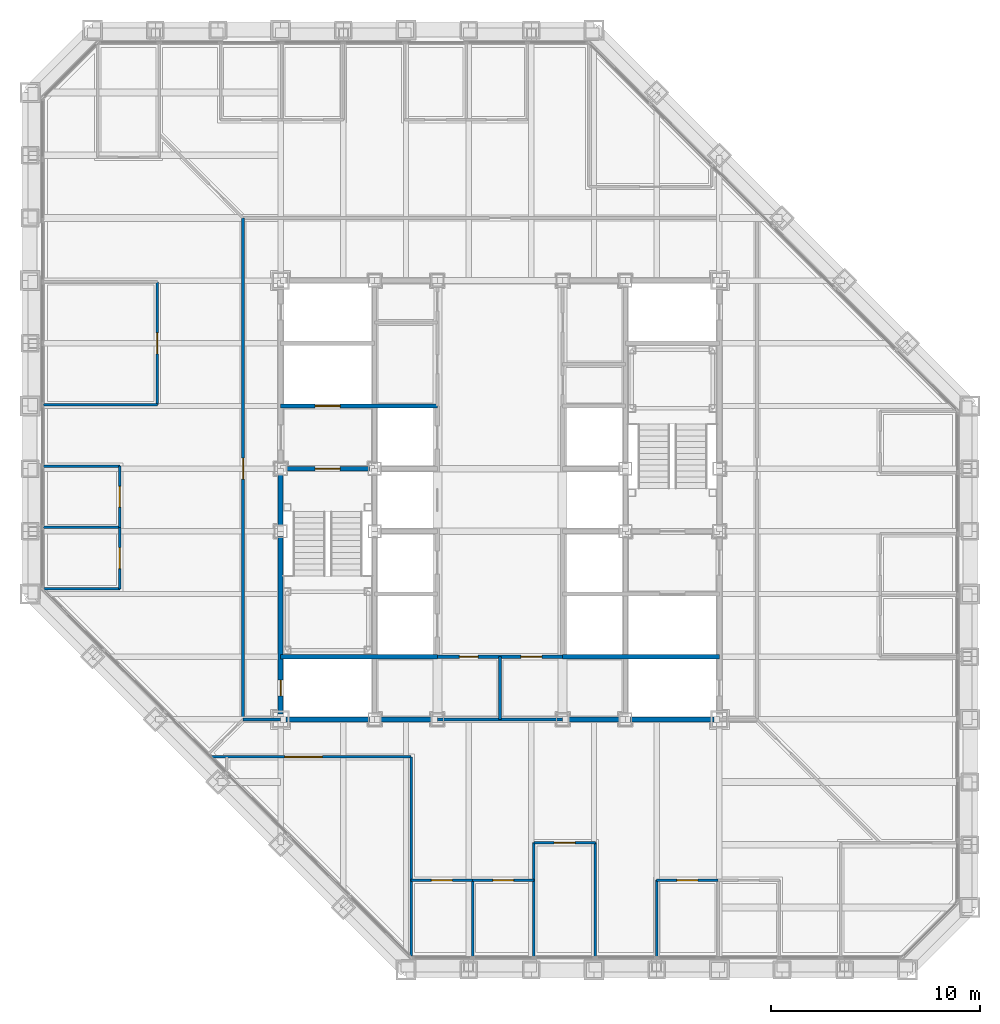
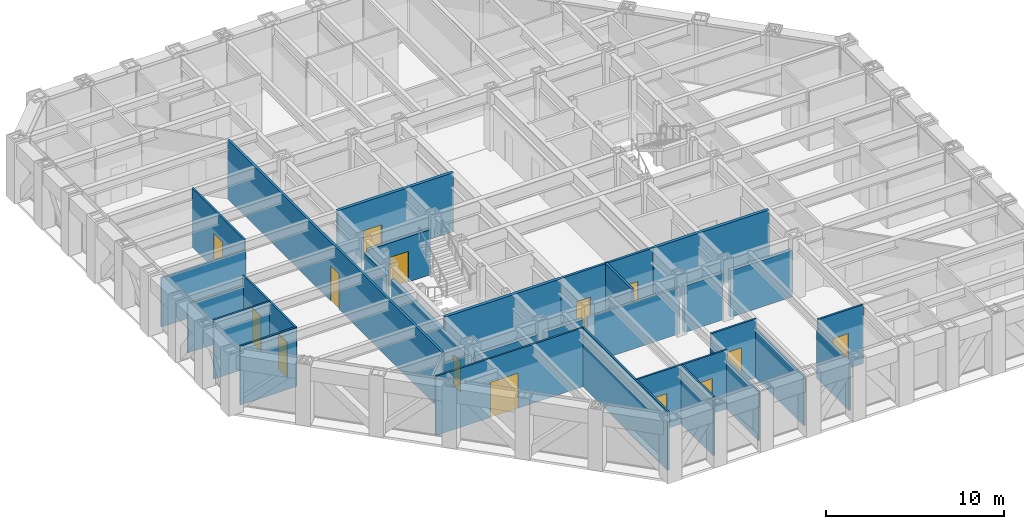
# One storey, part 10 of 17: 32 walls, 14 doors, 14 openings.
"""IFC4 building model written with IfcOpenShell, lengths in metres."""

from ifc_helpers import new_model, si_unit, direction, frame, frame_2d, origin, place, context, subcontext, project, spatial, rectangle, extrude, material, layer, layer_set, type_object, element, fill, save


model = new_model("IFC4")

# Units and contexts
model_context = context("Model", 3, precision=1e-05, world=origin(), true_north=direction((0.0, 1.0)))
body_context = subcontext(model_context, "Body", "Model", "MODEL_VIEW")
ifc_project = project(units=[si_unit("LENGTHUNIT", "METRE"), si_unit("AREAUNIT", "SQUARE_METRE"), si_unit("VOLUMEUNIT", "CUBIC_METRE"), si_unit("PLANEANGLEUNIT", "RADIAN"), si_unit("MASSUNIT", "GRAM", prefix="KILO")], contexts=[model_context])

# Site, building, storey
site_placement = place(None, origin())
site = spatial("IfcSite", under=ifc_project, at=site_placement, CompositionType="ELEMENT")
building_placement = place(site_placement, origin())
building = spatial("IfcBuilding", under=site, at=building_placement, Name="Chuquiago Exchange Tower", CompositionType="ELEMENT")
storey_placement = place(building_placement, frame((0.0, 0.0, 165.60009765625)))
storey = spatial("IfcBuildingStorey", under=building, at=storey_placement, Name="L36", CompositionType="ELEMENT", Elevation=165.60009765625)

# Wall, opening, door
ifc_material_1 = material(Name="Concrete masonry, fully grouted", Category="masonry")
ifc_layer_1 = layer(ifc_material_1, 0.25)
ifc_layer_set_1 = layer_set([ifc_layer_1], Name="W1 core wall 250")
wall_type_1 = type_object("IfcWallType", Name="W1 core wall 250", PredefinedType="SOLIDWALL", material=ifc_layer_set_1)
wall_1_placement = place(storey_placement, frame((12.0, 12.25, 0.0), z_axis=(0.0, 0.0, 1.0), x_axis=(0.0, 1.0, 0.0)))
wall_1 = element("IfcWall", 1, at=wall_1_placement, inside=storey, type_object=wall_type_1, Name="CW-L36-00-0", PredefinedType="SOLIDWALL", context=body_context, shape_type="SweptSolid", body=[
    extrude(rectangle(XDim=8.5, YDim=0.25, at=frame_2d((4.25, 0.0))), origin(), (0.0, 0.0, 1.0), 3.11279296875),
])
opening_1_placement = place(wall_1_placement, frame((0.875, 0.0, 0.0)))
opening_1 = element("IfcOpeningElement", 2, at=opening_1_placement, cuts=wall_1, Name="Opening L36-007", PredefinedType="OPENING", context=body_context, shape_type="SweptSolid", body=[
    extrude(rectangle(XDim=0.75, YDim=2.10009765625, at=frame_2d((0.375, 1.050048828125))), frame((0.0, 0.135009765625, 0.0), z_axis=(0.0, -1.0, 0.0), x_axis=(1.0, 0.0, 0.0)), (0.0, 0.0, 1.0), 0.27001953125),
])
ifc_material_2 = material(Name="Steel door, painted", Category="steel")
door_type_1 = type_object("IfcDoorType", Name="D6 riser access door 750x2100", OperationType="SINGLE_SWING_LEFT", PredefinedType="DOOR", material=ifc_material_2)
door_1_placement = place(opening_1_placement, frame((0.75, 0.0, 0.0), z_axis=(0.0, 0.0, 1.0), x_axis=(-1.0, 0.0, 0.0)))
door_1 = element("IfcDoor", 3, at=door_1_placement, inside=storey, type_object=door_type_1, Name="Riser RW1 door", OperationType="SINGLE_SWING_RIGHT", OverallHeight=2.10009765625, OverallWidth=0.75, PredefinedType="DOOR", context=body_context, shape_type="SweptSolid", body=[
    extrude(rectangle(XDim=0.75, YDim=2.10009765625, at=frame_2d((0.375, 1.050048828125))), frame((0.0, 0.02490234375, 0.0), z_axis=(0.0, -1.0, 0.0), x_axis=(1.0, 0.0, 0.0)), (0.0, 0.0, 1.0), 0.050048828125),
])
fill(opening_1, door_1)

# Walls
wall_2_placement = place(storey_placement, frame((12.0, 21.25, 0.0), z_axis=(0.0, 0.0, 1.0), x_axis=(0.0, 1.0, 0.0)))
element("IfcWall", 4, at=wall_2_placement, inside=storey, type_object=wall_type_1, Name="CW-L36-00-1", PredefinedType="SOLIDWALL", context=body_context, shape_type="SweptSolid", body=[
    extrude(rectangle(XDim=2.5, YDim=0.25, at=frame_2d((1.25, 0.0))), origin(), (0.0, 0.0, 1.0), 3.11279296875),
])
wall_3_placement = place(storey_placement, frame((12.25, 12.0, 0.0), z_axis=(0.0, 0.0, 1.0), x_axis=(1.0, 0.0, 0.0)))
element("IfcWall", 5, at=wall_3_placement, inside=storey, type_object=wall_type_1, Name="CW-L36-01-0", PredefinedType="SOLIDWALL", context=body_context, shape_type="SweptSolid", body=[
    extrude(rectangle(XDim=4.0, YDim=0.25, at=frame_2d((2.0, 0.0))), origin(), (0.0, 0.0, 1.0), 3.181396484375),
])
for number, where, z_axis, x_axis, name in (
    (6, (16.75, 12.0, 0.0), (0.0, 0.0, 1.0), (1.0, 0.0, 0.0), "CW-L36-01-1"),
    (7, (25.75, 12.0, 0.0), (0.0, 0.0, 1.0), (1.0, 0.0, 0.0), "CW-L36-02-0"),
):
    element("IfcWall", number, at=place(storey_placement, frame(where, z_axis=z_axis, x_axis=x_axis)), inside=storey, type_object=wall_type_1, Name=name, PredefinedType="SOLIDWALL", context=body_context, shape_type="SweptSolid", body=[
        extrude(rectangle(XDim=2.5, YDim=0.25, at=frame_2d((1.25, 0.0))), origin(), (0.0, 0.0, 1.0), 3.181396484375),
    ])
wall_4_placement = place(storey_placement, frame((28.75, 12.0, 0.0), z_axis=(0.0, 0.0, 1.0), x_axis=(1.0, 0.0, 0.0)))
element("IfcWall", 8, at=wall_4_placement, inside=storey, type_object=wall_type_1, Name="CW-L36-02-1", PredefinedType="SOLIDWALL", context=body_context, shape_type="SweptSolid", body=[
    extrude(rectangle(XDim=4.0, YDim=0.25, at=frame_2d((2.0, 0.0))), origin(), (0.0, 0.0, 1.0), 3.181396484375),
])

# Wall, opening, door
ifc_material_3 = material(Name="Gypsum board on steel studs, acoustic insulation", Category="steel")
ifc_layer_2 = layer(ifc_material_3, 0.14990234375)
ifc_layer_set_2 = layer_set([ifc_layer_2], Name="W11 corridor wall 150")
wall_type_2 = type_object("IfcWallType", Name="W11 corridor wall 150", PredefinedType="PARTITIONING", material=ifc_layer_set_2)
wall_5_placement = place(storey_placement, frame((10.199951171875, 12.0, 0.0), z_axis=(0.0, 0.0, 1.0), x_axis=(0.0, 1.0, 0.0)))
wall_5 = element("IfcWall", 9, at=wall_5_placement, inside=storey, type_object=wall_type_2, Name="PW-L36-GW0", PredefinedType="PARTITIONING", context=body_context, shape_type="SweptSolid", body=[
    extrude(rectangle(XDim=24.0, YDim=0.14990234375, at=frame_2d((12.0, 0.0))), origin(), (0.0, 0.0, 1.0), 4.039794921875),
])
opening_2_placement = place(wall_5_placement, frame((11.5, 0.0, 0.0)))
opening_2 = element("IfcOpeningElement", 10, at=opening_2_placement, cuts=wall_5, Name="Opening L36-041", PredefinedType="OPENING", context=body_context, shape_type="SweptSolid", body=[
    extrude(rectangle(XDim=1.0, YDim=2.39990234375, at=frame_2d((0.5, 1.199951171875))), frame((0.0, 0.0849609375, 0.0), z_axis=(0.0, -1.0, 0.0), x_axis=(1.0, 0.0, 0.0)), (0.0, 0.0, 1.0), 0.169921875),
])
ifc_material_4 = material(Name="Timber door, laminate faced", Category="wood")
door_type_2 = type_object("IfcDoorType", Name="D9 room door 1000x2400", OperationType="SINGLE_SWING_LEFT", PredefinedType="DOOR", material=ifc_material_4)
door_2_placement = place(opening_2_placement, origin())
door_2 = element("IfcDoor", 11, at=door_2_placement, inside=storey, type_object=door_type_2, Name="Team area door", OperationType="SINGLE_SWING_LEFT", OverallHeight=2.39990234375, OverallWidth=1.0, PredefinedType="DOOR", context=body_context, shape_type="SweptSolid", body=[
    extrude(rectangle(XDim=1.0, YDim=2.39990234375, at=frame_2d((0.5, 1.199951171875))), frame((0.0, 0.02490234375, 0.0), z_axis=(0.0, -1.0, 0.0), x_axis=(1.0, 0.0, 0.0)), (0.0, 0.0, 1.0), 0.050048828125),
])
fill(opening_2, door_2)

# Walls
wall_6_placement = place(storey_placement, frame((10.199951171875, 12.0, 0.0), z_axis=(0.0, 0.0, 1.0), x_axis=(1.0, 0.0, 0.0)))
element("IfcWall", 12, at=wall_6_placement, inside=storey, type_object=wall_type_2, Name="PW-L36-GWS0", PredefinedType="PARTITIONING", context=body_context, shape_type="SweptSolid", body=[
    extrude(rectangle(XDim=1.800048828125, YDim=0.14990234375, at=frame_2d((0.89990234375, 0.0))), origin(), (0.0, 0.0, 1.0), 3.270263671875),
])
ifc_material_5 = material(Name="Concrete masonry, fully grouted", Category="masonry")
ifc_layer_3 = layer(ifc_material_5, 0.199951171875)
ifc_layer_set_3 = layer_set([ifc_layer_3], Name="W2 shaft wall 200")
wall_type_3 = type_object("IfcWallType", Name="W2 shaft wall 200", PredefinedType="SOLIDWALL", material=ifc_layer_set_3)
for number, where, z_axis, x_axis, name in (
    (13, (12.0, 15.0, 0.0), (0.0, 0.0, 1.0), (1.0, 0.0, 0.0), "CW-L36-03-0"),
    (14, (25.5, 15.0, 0.0), (0.0, 0.0, 1.0), (1.0, 0.0, 0.0), "CW-L36-04-0"),
):
    element("IfcWall", number, at=place(storey_placement, frame(where, z_axis=z_axis, x_axis=x_axis)), inside=storey, type_object=wall_type_3, Name=name, PredefinedType="SOLIDWALL", context=body_context, shape_type="SweptSolid", body=[
        extrude(rectangle(XDim=7.5, YDim=0.199951171875, at=frame_2d((3.75, 0.0))), origin(), (0.0, 0.0, 1.0), 4.039794921875),
    ])

# Wall, opening, door
wall_7_placement = place(storey_placement, frame((12.25, 24.0, 0.0), z_axis=(0.0, 0.0, 1.0), x_axis=(1.0, 0.0, 0.0)))
wall_7 = element("IfcWall", 15, at=wall_7_placement, inside=storey, type_object=wall_type_3, Name="CW-L36-05-0", PredefinedType="SOLIDWALL", context=body_context, shape_type="SweptSolid", body=[
    extrude(rectangle(XDim=4.0, YDim=0.199951171875, at=frame_2d((2.0, 0.0))), origin(), (0.0, 0.0, 1.0), 3.08984375),
])
opening_3_placement = place(wall_7_placement, frame((1.39990234375, 0.0, 0.0)))
opening_3 = element("IfcOpeningElement", 16, at=opening_3_placement, cuts=wall_7, Name="Opening L36-001", PredefinedType="OPENING", context=body_context, shape_type="SweptSolid", body=[
    extrude(rectangle(XDim=1.199951171875, YDim=2.10009765625, at=frame_2d((0.60009765625, 1.050048828125))), frame((0.0, 0.10986328125, 0.0), z_axis=(0.0, -1.0, 0.0), x_axis=(1.0, 0.0, 0.0)), (0.0, 0.0, 1.0), 0.219970703125),
])
ifc_material_6 = material(Name="Steel door, painted", Category="steel")
door_type_3 = type_object("IfcDoorType", Name="D4 stair door 1200x2100", OperationType="SINGLE_SWING_LEFT", PredefinedType="DOOR", material=ifc_material_6)
door_3_placement = place(opening_3_placement, frame((1.199951171875, 0.0, 0.0), z_axis=(0.0, 0.0, 1.0), x_axis=(-1.0, 0.0, 0.0)))
door_3 = element("IfcDoor", 17, at=door_3_placement, inside=storey, type_object=door_type_3, Name="Stair ST1 door", OperationType="SINGLE_SWING_RIGHT", OverallHeight=2.10009765625, OverallWidth=1.199951171875, PredefinedType="DOOR", context=body_context, shape_type="SweptSolid", body=[
    extrude(rectangle(XDim=1.199951171875, YDim=2.10009765625, at=frame_2d((0.60009765625, 1.050048828125))), frame((0.0, 0.02490234375, 0.0), z_axis=(0.0, -1.0, 0.0), x_axis=(1.0, 0.0, 0.0)), (0.0, 0.0, 1.0), 0.050048828125),
])
fill(opening_3, door_3)

wall_8_placement = place(storey_placement, frame((12.0, 27.0, 0.0), z_axis=(0.0, 0.0, 1.0), x_axis=(1.0, 0.0, 0.0)))
wall_8 = element("IfcWall", 18, at=wall_8_placement, inside=storey, type_object=wall_type_3, Name="CW-L36-07-0", PredefinedType="SOLIDWALL", context=body_context, shape_type="SweptSolid", body=[
    extrude(rectangle(XDim=7.5, YDim=0.199951171875, at=frame_2d((3.75, 0.0))), origin(), (0.0, 0.0, 1.0), 4.039794921875),
])
opening_4_placement = place(wall_8_placement, frame((1.64990234375, 0.0, 0.0)))
opening_4 = element("IfcOpeningElement", 19, at=opening_4_placement, cuts=wall_8, Name="Opening L36-005", PredefinedType="OPENING", context=body_context, shape_type="SweptSolid", body=[
    extrude(rectangle(XDim=1.199951171875, YDim=2.10009765625, at=frame_2d((0.60009765625, 1.050048828125))), frame((0.0, 0.10986328125, 0.0), z_axis=(0.0, -1.0, 0.0), x_axis=(1.0, 0.0, 0.0)), (0.0, 0.0, 1.0), 0.219970703125),
])
ifc_material_7 = material(Name="Stainless steel lift landing door", Category="steel")
door_type_4 = type_object("IfcDoorType", Name="LD2 firefighting lift landing door 1200x2100", OperationType="DOUBLE_DOOR_SLIDING", PredefinedType="DOOR", material=ifc_material_7)
door_4_placement = place(opening_4_placement, origin())
door_4 = element("IfcDoor", 20, at=door_4_placement, inside=storey, type_object=door_type_4, Name="Firefighting lift FL1 landing door", OperationType="DOUBLE_DOOR_SLIDING", OverallHeight=2.10009765625, OverallWidth=1.199951171875, PredefinedType="DOOR", context=body_context, shape_type="SweptSolid", body=[
    extrude(rectangle(XDim=1.199951171875, YDim=2.10009765625, at=frame_2d((0.60009765625, 1.050048828125))), frame((0.0, 0.02490234375, 0.0), z_axis=(0.0, -1.0, 0.0), x_axis=(1.0, 0.0, 0.0)), (0.0, 0.0, 1.0), 0.050048828125),
])
fill(opening_4, door_4)

# Wall, openings, doors
ifc_material_8 = material(Name="Gypsum board on steel studs", Category="steel")
ifc_layer_4 = layer(ifc_material_8, 0.14990234375)
ifc_layer_set_4 = layer_set([ifc_layer_4], Name="W3 core partition 150")
wall_type_4 = type_object("IfcWallType", Name="W3 core partition 150", PredefinedType="PARTITIONING", material=ifc_layer_set_4)
wall_9_placement = place(storey_placement, frame((19.5, 15.0, 0.0), z_axis=(0.0, 0.0, 1.0), x_axis=(1.0, 0.0, 0.0)))
wall_9 = element("IfcWall", 21, at=wall_9_placement, inside=storey, type_object=wall_type_4, Name="CW-L36-TF", PredefinedType="PARTITIONING", context=body_context, shape_type="SweptSolid", body=[
    extrude(rectangle(XDim=6.0, YDim=0.14990234375, at=frame_2d((3.0, 0.0))), origin(), (0.0, 0.0, 1.0), 4.039794921875),
])
opening_5_placement = place(wall_9_placement, frame((4.0, 0.0, 0.0)))
opening_5 = element("IfcOpeningElement", 22, at=opening_5_placement, cuts=wall_9, Name="Opening L36-015", PredefinedType="OPENING", context=body_context, shape_type="SweptSolid", body=[
    extrude(rectangle(XDim=1.0, YDim=2.10009765625, at=frame_2d((0.5, 1.050048828125))), frame((0.0, 0.0849609375, 0.0), z_axis=(0.0, -1.0, 0.0), x_axis=(1.0, 0.0, 0.0)), (0.0, 0.0, 1.0), 0.169921875),
])
opening_6_placement = place(wall_9_placement, frame((1.050048828125, 0.0, 0.0)))
opening_6 = element("IfcOpeningElement", 23, at=opening_6_placement, cuts=wall_9, Name="Opening L36-016", PredefinedType="OPENING", context=body_context, shape_type="SweptSolid", body=[
    extrude(rectangle(XDim=0.89990234375, YDim=2.10009765625, at=frame_2d((0.449951171875, 1.050048828125))), frame((0.0, 0.0849609375, 0.0), z_axis=(0.0, -1.0, 0.0), x_axis=(1.0, 0.0, 0.0)), (0.0, 0.0, 1.0), 0.169921875),
])
ifc_material_9 = material(Name="Timber door, laminate faced", Category="wood")
door_type_5 = type_object("IfcDoorType", Name="D7 toilet door 900x2100", OperationType="SINGLE_SWING_LEFT", PredefinedType="DOOR", material=ifc_material_9)
door_5_placement = place(opening_6_placement, origin())
door_5 = element("IfcDoor", 24, at=door_5_placement, inside=storey, type_object=door_type_5, Name="Cleaner door", OperationType="SINGLE_SWING_LEFT", OverallHeight=2.10009765625, OverallWidth=0.89990234375, PredefinedType="DOOR", context=body_context, shape_type="SweptSolid", body=[
    extrude(rectangle(XDim=0.89990234375, YDim=2.10009765625, at=frame_2d((0.449951171875, 1.050048828125))), frame((0.0, 0.02490234375, 0.0), z_axis=(0.0, -1.0, 0.0), x_axis=(1.0, 0.0, 0.0)), (0.0, 0.0, 1.0), 0.050048828125),
])
fill(opening_6, door_5)
ifc_material_10 = material(Name="Timber door, laminate faced", Category="wood")
door_type_6 = type_object("IfcDoorType", Name="D8 accessible toilet door 1000x2100", OperationType="SLIDING_TO_LEFT", PredefinedType="DOOR", material=ifc_material_10)
door_6_placement = place(opening_5_placement, origin())
door_6 = element("IfcDoor", 25, at=door_6_placement, inside=storey, type_object=door_type_6, Name="Accessible WC door", OperationType="SLIDING_TO_LEFT", OverallHeight=2.10009765625, OverallWidth=1.0, PredefinedType="DOOR", context=body_context, shape_type="SweptSolid", body=[
    extrude(rectangle(XDim=1.0, YDim=2.10009765625, at=frame_2d((0.5, 1.050048828125))), frame((0.0, 0.02490234375, 0.0), z_axis=(0.0, -1.0, 0.0), x_axis=(1.0, 0.0, 0.0)), (0.0, 0.0, 1.0), 0.050048828125),
])
fill(opening_5, door_6)

# Walls
wall_10_placement = place(storey_placement, frame((22.5, 15.0, 0.0), z_axis=(0.0, 0.0, 1.0), x_axis=(0.0, -1.0, 0.0)))
element("IfcWall", 26, at=wall_10_placement, inside=storey, type_object=wall_type_4, Name="CW-L36-TM", PredefinedType="PARTITIONING", context=body_context, shape_type="SweptSolid", body=[
    extrude(rectangle(XDim=3.0, YDim=0.14990234375, at=frame_2d((1.5, 0.0))), origin(), (0.0, 0.0, 1.0), 4.039794921875),
])
wall_11_placement = place(storey_placement, frame((19.5, 12.0, 0.0), z_axis=(0.0, 0.0, 1.0), x_axis=(1.0, 0.0, 0.0)))
element("IfcWall", 27, at=wall_11_placement, inside=storey, type_object=wall_type_4, Name="CW-L36-TB", PredefinedType="PARTITIONING", context=body_context, shape_type="SweptSolid", body=[
    extrude(rectangle(XDim=6.0, YDim=0.14990234375, at=frame_2d((3.0, 0.0))), origin(), (0.0, 0.0, 1.0), 3.181396484375),
])
ifc_material_11 = material(Name="Gypsum board on steel studs", Category="steel")
ifc_layer_5 = layer(ifc_material_11, 0.1201171875)
ifc_layer_set_5 = layer_set([ifc_layer_5], Name="W4 partition 120")
wall_type_5 = type_object("IfcWallType", Name="W4 partition 120", PredefinedType="PARTITIONING", material=ifc_layer_set_5)
wall_12_placement = place(storey_placement, frame((18.24853515625, 0.666015625, 0.0), z_axis=(0.0, 0.0, 1.0), x_axis=(0.0, 1.0, 0.0)))
element("IfcWall", 28, at=wall_12_placement, inside=storey, type_object=wall_type_5, Name="PW-L36-S01825", PredefinedType="PARTITIONING", context=body_context, shape_type="SweptSolid", body=[
    extrude(rectangle(XDim=9.533935546875, YDim=0.1201171875, at=frame_2d((4.76708984375, 0.0))), origin(), (0.0, 0.0, 1.0), 4.039794921875),
])
wall_13_placement = place(storey_placement, frame((21.186279296875, 0.652587890625, 0.0), z_axis=(0.0, 0.0, 1.0), x_axis=(0.0, 1.0, 0.0)))
element("IfcWall", 29, at=wall_13_placement, inside=storey, type_object=wall_type_5, Name="PW-L36-S02119", PredefinedType="PARTITIONING", context=body_context, shape_type="SweptSolid", body=[
    extrude(rectangle(XDim=3.6474609375, YDim=0.1201171875, at=frame_2d((1.82373046875, 0.0))), origin(), (0.0, 0.0, 1.0), 4.039794921875),
])
for number, where, z_axis, x_axis, name in (
    (30, (24.124267578125, 0.652587890625, 0.0), (0.0, 0.0, 1.0), (0.0, 1.0, 0.0), "PW-L36-S02412"),
    (31, (27.06201171875, 0.652587890625, 0.0), (0.0, 0.0, 1.0), (0.0, 1.0, 0.0), "PW-L36-S02706"),
):
    element("IfcWall", number, at=place(storey_placement, frame(where, z_axis=z_axis, x_axis=x_axis)), inside=storey, type_object=wall_type_5, Name=name, PredefinedType="PARTITIONING", context=body_context, shape_type="SweptSolid", body=[
        extrude(rectangle(XDim=5.447509765625, YDim=0.1201171875, at=frame_2d((2.7236328125, 0.0))), origin(), (0.0, 0.0, 1.0), 3.356689453125),
    ])
wall_14_placement = place(storey_placement, frame((30.0, 0.652587890625, 0.0), z_axis=(0.0, 0.0, 1.0), x_axis=(0.0, 1.0, 0.0)))
element("IfcWall", 32, at=wall_14_placement, inside=storey, type_object=wall_type_5, Name="PW-L36-S03000", PredefinedType="PARTITIONING", context=body_context, shape_type="SweptSolid", body=[
    extrude(rectangle(XDim=3.6474609375, YDim=0.1201171875, at=frame_2d((1.82373046875, 0.0))), origin(), (0.0, 0.0, 1.0), 3.356689453125),
])

# Wall, opening, door
wall_15_placement = place(storey_placement, frame((8.685546875, 10.199951171875, 0.0), z_axis=(0.0, 0.0, 1.0), x_axis=(1.0, 0.0, 0.0)))
wall_15 = element("IfcWall", 33, at=wall_15_placement, inside=storey, type_object=wall_type_5, Name="PW-L36-SF00942", PredefinedType="PARTITIONING", context=body_context, shape_type="SweptSolid", body=[
    extrude(rectangle(XDim=9.56298828125, YDim=0.1201171875, at=frame_2d((4.781494140625, 0.0))), origin(), (0.0, 0.0, 1.0), 4.039794921875),
])
opening_7_placement = place(wall_15_placement, frame((3.51220703125, 0.0, 0.0)))
opening_7 = element("IfcOpeningElement", 34, at=opening_7_placement, cuts=wall_15, Name="Opening L36-021", PredefinedType="OPENING", context=body_context, shape_type="SweptSolid", body=[
    extrude(rectangle(XDim=1.800048828125, YDim=2.39990234375, at=frame_2d((0.89990234375, 1.199951171875))), frame((0.0, 0.070068359375, 0.0), z_axis=(0.0, -1.0, 0.0), x_axis=(1.0, 0.0, 0.0)), (0.0, 0.0, 1.0), 0.14013671875),
])
ifc_material_12 = material(Name="Timber door pair, laminate faced", Category="wood")
door_type_7 = type_object("IfcDoorType", Name="D15 double room door 1800x2400", OperationType="DOUBLE_DOOR_DOUBLE_SWING", PredefinedType="DOOR", material=ifc_material_12)
door_7_placement = place(opening_7_placement, origin())
door_7 = element("IfcDoor", 35, at=door_7_placement, inside=storey, type_object=door_type_7, Name="Broker lounge door", OperationType="DOUBLE_DOOR_DOUBLE_SWING", OverallHeight=2.39990234375, OverallWidth=1.800048828125, PredefinedType="DOOR", context=body_context, shape_type="SweptSolid", body=[
    extrude(rectangle(XDim=1.800048828125, YDim=2.39990234375, at=frame_2d((0.89990234375, 1.199951171875))), frame((0.0, 0.02490234375, 0.0), z_axis=(0.0, -1.0, 0.0), x_axis=(1.0, 0.0, 0.0)), (0.0, 0.0, 1.0), 0.050048828125),
])
fill(opening_7, door_7)

wall_16_placement = place(storey_placement, frame((18.24853515625, 4.300048828125, 0.0), z_axis=(0.0, 0.0, 1.0), x_axis=(1.0, 0.0, 0.0)))
wall_16 = element("IfcWall", 36, at=wall_16_placement, inside=storey, type_object=wall_type_5, Name="PW-L36-SF01825", PredefinedType="PARTITIONING", context=body_context, shape_type="SweptSolid", body=[
    extrude(rectangle(XDim=2.937744140625, YDim=0.1201171875, at=frame_2d((1.46875, 0.0))), origin(), (0.0, 0.0, 1.0), 4.039794921875),
])
opening_8_placement = place(wall_16_placement, frame((0.968994140625, 0.0, 0.0)))
opening_8 = element("IfcOpeningElement", 37, at=opening_8_placement, cuts=wall_16, Name="Opening L36-022", PredefinedType="OPENING", context=body_context, shape_type="SweptSolid", body=[
    extrude(rectangle(XDim=1.0, YDim=2.39990234375, at=frame_2d((0.5, 1.199951171875))), frame((0.0, 0.070068359375, 0.0), z_axis=(0.0, -1.0, 0.0), x_axis=(1.0, 0.0, 0.0)), (0.0, 0.0, 1.0), 0.14013671875),
])
ifc_material_13 = material(Name="Timber frame door, full height glazed panel", Category="wood")
door_type_8 = type_object("IfcDoorType", Name="D14 glazed meeting room door 1000x2400", OperationType="SINGLE_SWING_LEFT", PredefinedType="DOOR", material=ifc_material_13)
door_8_placement = place(opening_8_placement, frame((1.0, 0.0, 0.0), z_axis=(0.0, 0.0, 1.0), x_axis=(-1.0, 0.0, 0.0)))
door_8 = element("IfcDoor", 38, at=door_8_placement, inside=storey, type_object=door_type_8, Name="Focus room door", OperationType="SINGLE_SWING_RIGHT", OverallHeight=2.39990234375, OverallWidth=1.0, PredefinedType="DOOR", context=body_context, shape_type="SweptSolid", body=[
    extrude(rectangle(XDim=1.0, YDim=2.39990234375, at=frame_2d((0.5, 1.199951171875))), frame((0.0, 0.02490234375, 0.0), z_axis=(0.0, -1.0, 0.0), x_axis=(1.0, 0.0, 0.0)), (0.0, 0.0, 1.0), 0.050048828125),
])
fill(opening_8, door_8)

wall_17_placement = place(storey_placement, frame((21.186279296875, 4.300048828125, 0.0), z_axis=(0.0, 0.0, 1.0), x_axis=(1.0, 0.0, 0.0)))
wall_17 = element("IfcWall", 39, at=wall_17_placement, inside=storey, type_object=wall_type_5, Name="PW-L36-SF02119", PredefinedType="PARTITIONING", context=body_context, shape_type="SweptSolid", body=[
    extrude(rectangle(XDim=2.93798828125, YDim=0.1201171875, at=frame_2d((1.468994140625, 0.0))), origin(), (0.0, 0.0, 1.0), 4.039794921875),
])
opening_9_placement = place(wall_17_placement, frame((0.968994140625, 0.0, 0.0)))
opening_9 = element("IfcOpeningElement", 40, at=opening_9_placement, cuts=wall_17, Name="Opening L36-023", PredefinedType="OPENING", context=body_context, shape_type="SweptSolid", body=[
    extrude(rectangle(XDim=1.0, YDim=2.39990234375, at=frame_2d((0.5, 1.199951171875))), frame((0.0, 0.070068359375, 0.0), z_axis=(0.0, -1.0, 0.0), x_axis=(1.0, 0.0, 0.0)), (0.0, 0.0, 1.0), 0.14013671875),
])
door_9_placement = place(opening_9_placement, frame((1.0, 0.0, 0.0), z_axis=(0.0, 0.0, 1.0), x_axis=(-1.0, 0.0, 0.0)))
door_9 = element("IfcDoor", 41, at=door_9_placement, inside=storey, type_object=door_type_8, Name="Focus room door", OperationType="SINGLE_SWING_LEFT", OverallHeight=2.39990234375, OverallWidth=1.0, PredefinedType="DOOR", context=body_context, shape_type="SweptSolid", body=[
    extrude(rectangle(XDim=1.0, YDim=2.39990234375, at=frame_2d((0.5, 1.199951171875))), frame((0.0, 0.02490234375, 0.0), z_axis=(0.0, -1.0, 0.0), x_axis=(1.0, 0.0, 0.0)), (0.0, 0.0, 1.0), 0.050048828125),
])
fill(opening_9, door_9)

wall_18_placement = place(storey_placement, frame((24.124267578125, 6.10009765625, 0.0), z_axis=(0.0, 0.0, 1.0), x_axis=(1.0, 0.0, 0.0)))
wall_18 = element("IfcWall", 42, at=wall_18_placement, inside=storey, type_object=wall_type_5, Name="PW-L36-SF02412", PredefinedType="PARTITIONING", context=body_context, shape_type="SweptSolid", body=[
    extrude(rectangle(XDim=2.937744140625, YDim=0.1201171875, at=frame_2d((1.46875, 0.0))), origin(), (0.0, 0.0, 1.0), 4.039794921875),
])
opening_10_placement = place(wall_18_placement, frame((0.968994140625, 0.0, 0.0)))
opening_10 = element("IfcOpeningElement", 43, at=opening_10_placement, cuts=wall_18, Name="Opening L36-024", PredefinedType="OPENING", context=body_context, shape_type="SweptSolid", body=[
    extrude(rectangle(XDim=1.0, YDim=2.39990234375, at=frame_2d((0.5, 1.199951171875))), frame((0.0, 0.070068359375, 0.0), z_axis=(0.0, -1.0, 0.0), x_axis=(1.0, 0.0, 0.0)), (0.0, 0.0, 1.0), 0.14013671875),
])
door_10_placement = place(opening_10_placement, frame((1.0, 0.0, 0.0), z_axis=(0.0, 0.0, 1.0), x_axis=(-1.0, 0.0, 0.0)))
door_10 = element("IfcDoor", 44, at=door_10_placement, inside=storey, type_object=door_type_8, Name="Meeting room door", OperationType="SINGLE_SWING_LEFT", OverallHeight=2.39990234375, OverallWidth=1.0, PredefinedType="DOOR", context=body_context, shape_type="SweptSolid", body=[
    extrude(rectangle(XDim=1.0, YDim=2.39990234375, at=frame_2d((0.5, 1.199951171875))), frame((0.0, 0.02490234375, 0.0), z_axis=(0.0, -1.0, 0.0), x_axis=(1.0, 0.0, 0.0)), (0.0, 0.0, 1.0), 0.050048828125),
])
fill(opening_10, door_10)

wall_19_placement = place(storey_placement, frame((30.0, 4.300048828125, 0.0), z_axis=(0.0, 0.0, 1.0), x_axis=(1.0, 0.0, 0.0)))
wall_19 = element("IfcWall", 45, at=wall_19_placement, inside=storey, type_object=wall_type_5, Name="PW-L36-SF03000", PredefinedType="PARTITIONING", context=body_context, shape_type="SweptSolid", body=[
    extrude(rectangle(XDim=2.93798828125, YDim=0.1201171875, at=frame_2d((1.468994140625, 0.0))), origin(), (0.0, 0.0, 1.0), 4.039794921875),
])
opening_11_placement = place(wall_19_placement, frame((0.968994140625, 0.0, 0.0)))
opening_11 = element("IfcOpeningElement", 46, at=opening_11_placement, cuts=wall_19, Name="Opening L36-025", PredefinedType="OPENING", context=body_context, shape_type="SweptSolid", body=[
    extrude(rectangle(XDim=1.0, YDim=2.39990234375, at=frame_2d((0.5, 1.199951171875))), frame((0.0, 0.070068359375, 0.0), z_axis=(0.0, -1.0, 0.0), x_axis=(1.0, 0.0, 0.0)), (0.0, 0.0, 1.0), 0.14013671875),
])
door_11_placement = place(opening_11_placement, frame((1.0, 0.0, 0.0), z_axis=(0.0, 0.0, 1.0), x_axis=(-1.0, 0.0, 0.0)))
door_11 = element("IfcDoor", 47, at=door_11_placement, inside=storey, type_object=door_type_8, Name="Focus room door", OperationType="SINGLE_SWING_RIGHT", OverallHeight=2.39990234375, OverallWidth=1.0, PredefinedType="DOOR", context=body_context, shape_type="SweptSolid", body=[
    extrude(rectangle(XDim=1.0, YDim=2.39990234375, at=frame_2d((0.5, 1.199951171875))), frame((0.0, 0.02490234375, 0.0), z_axis=(0.0, -1.0, 0.0), x_axis=(1.0, 0.0, 0.0)), (0.0, 0.0, 1.0), 0.050048828125),
])
fill(opening_11, door_11)

# Walls
wall_20_placement = place(storey_placement, frame((0.666015625, 18.24853515625, 0.0), z_axis=(0.0, 0.0, 1.0), x_axis=(1.0, 0.0, 0.0)))
element("IfcWall", 48, at=wall_20_placement, inside=storey, type_object=wall_type_5, Name="PW-L36-W01825", PredefinedType="PARTITIONING", context=body_context, shape_type="SweptSolid", body=[
    extrude(rectangle(XDim=3.634033203125, YDim=0.1201171875, at=frame_2d((1.81689453125, 0.0))), origin(), (0.0, 0.0, 1.0), 4.039794921875),
])
wall_21_placement = place(storey_placement, frame((0.652587890625, 21.186279296875, 0.0), z_axis=(0.0, 0.0, 1.0), x_axis=(1.0, 0.0, 0.0)))
element("IfcWall", 49, at=wall_21_placement, inside=storey, type_object=wall_type_5, Name="PW-L36-W02119", PredefinedType="PARTITIONING", context=body_context, shape_type="SweptSolid", body=[
    extrude(rectangle(XDim=3.6474609375, YDim=0.1201171875, at=frame_2d((1.82373046875, 0.0))), origin(), (0.0, 0.0, 1.0), 4.039794921875),
])
wall_22_placement = place(storey_placement, frame((0.652587890625, 24.124267578125, 0.0), z_axis=(0.0, 0.0, 1.0), x_axis=(1.0, 0.0, 0.0)))
element("IfcWall", 50, at=wall_22_placement, inside=storey, type_object=wall_type_5, Name="PW-L36-W02412", PredefinedType="PARTITIONING", context=body_context, shape_type="SweptSolid", body=[
    extrude(rectangle(XDim=3.6474609375, YDim=0.1201171875, at=frame_2d((1.82373046875, 0.0))), origin(), (0.0, 0.0, 1.0), 3.356689453125),
])
wall_23_placement = place(storey_placement, frame((0.652587890625, 27.06201171875, 0.0), z_axis=(0.0, 0.0, 1.0), x_axis=(1.0, 0.0, 0.0)))
element("IfcWall", 51, at=wall_23_placement, inside=storey, type_object=wall_type_5, Name="PW-L36-W02706", PredefinedType="PARTITIONING", context=body_context, shape_type="SweptSolid", body=[
    extrude(rectangle(XDim=5.447509765625, YDim=0.1201171875, at=frame_2d((2.7236328125, 0.0))), origin(), (0.0, 0.0, 1.0), 3.356689453125),
])

# Wall, opening, door
wall_24_placement = place(storey_placement, frame((4.300048828125, 18.24853515625, 0.0), z_axis=(0.0, 0.0, 1.0), x_axis=(0.0, 1.0, 0.0)))
wall_24 = element("IfcWall", 52, at=wall_24_placement, inside=storey, type_object=wall_type_5, Name="PW-L36-WF01825", PredefinedType="PARTITIONING", context=body_context, shape_type="SweptSolid", body=[
    extrude(rectangle(XDim=2.937744140625, YDim=0.1201171875, at=frame_2d((1.46875, 0.0))), origin(), (0.0, 0.0, 1.0), 4.039794921875),
])
opening_12_placement = place(wall_24_placement, frame((0.968994140625, 0.0, 0.0)))
opening_12 = element("IfcOpeningElement", 53, at=opening_12_placement, cuts=wall_24, Name="Opening L36-037", PredefinedType="OPENING", context=body_context, shape_type="SweptSolid", body=[
    extrude(rectangle(XDim=1.0, YDim=2.39990234375, at=frame_2d((0.5, 1.199951171875))), frame((0.0, 0.070068359375, 0.0), z_axis=(0.0, -1.0, 0.0), x_axis=(1.0, 0.0, 0.0)), (0.0, 0.0, 1.0), 0.14013671875),
])
door_12_placement = place(opening_12_placement, origin())
door_12 = element("IfcDoor", 54, at=door_12_placement, inside=storey, type_object=door_type_8, Name="Focus room door", OperationType="SINGLE_SWING_LEFT", OverallHeight=2.39990234375, OverallWidth=1.0, PredefinedType="DOOR", context=body_context, shape_type="SweptSolid", body=[
    extrude(rectangle(XDim=1.0, YDim=2.39990234375, at=frame_2d((0.5, 1.199951171875))), frame((0.0, 0.02490234375, 0.0), z_axis=(0.0, -1.0, 0.0), x_axis=(1.0, 0.0, 0.0)), (0.0, 0.0, 1.0), 0.050048828125),
])
fill(opening_12, door_12)

wall_25_placement = place(storey_placement, frame((4.300048828125, 21.186279296875, 0.0), z_axis=(0.0, 0.0, 1.0), x_axis=(0.0, 1.0, 0.0)))
wall_25 = element("IfcWall", 55, at=wall_25_placement, inside=storey, type_object=wall_type_5, Name="PW-L36-WF02119", PredefinedType="PARTITIONING", context=body_context, shape_type="SweptSolid", body=[
    extrude(rectangle(XDim=2.93798828125, YDim=0.1201171875, at=frame_2d((1.468994140625, 0.0))), origin(), (0.0, 0.0, 1.0), 4.039794921875),
])
opening_13_placement = place(wall_25_placement, frame((0.968994140625, 0.0, 0.0)))
opening_13 = element("IfcOpeningElement", 56, at=opening_13_placement, cuts=wall_25, Name="Opening L36-038", PredefinedType="OPENING", context=body_context, shape_type="SweptSolid", body=[
    extrude(rectangle(XDim=1.0, YDim=2.39990234375, at=frame_2d((0.5, 1.199951171875))), frame((0.0, 0.070068359375, 0.0), z_axis=(0.0, -1.0, 0.0), x_axis=(1.0, 0.0, 0.0)), (0.0, 0.0, 1.0), 0.14013671875),
])
door_13_placement = place(opening_13_placement, origin())
door_13 = element("IfcDoor", 57, at=door_13_placement, inside=storey, type_object=door_type_8, Name="Focus room door", OperationType="SINGLE_SWING_RIGHT", OverallHeight=2.39990234375, OverallWidth=1.0, PredefinedType="DOOR", context=body_context, shape_type="SweptSolid", body=[
    extrude(rectangle(XDim=1.0, YDim=2.39990234375, at=frame_2d((0.5, 1.199951171875))), frame((0.0, 0.02490234375, 0.0), z_axis=(0.0, -1.0, 0.0), x_axis=(1.0, 0.0, 0.0)), (0.0, 0.0, 1.0), 0.050048828125),
])
fill(opening_13, door_13)

wall_26_placement = place(storey_placement, frame((6.10009765625, 27.06201171875, 0.0), z_axis=(0.0, 0.0, 1.0), x_axis=(0.0, 1.0, 0.0)))
wall_26 = element("IfcWall", 58, at=wall_26_placement, inside=storey, type_object=wall_type_5, Name="PW-L36-WF02706", PredefinedType="PARTITIONING", context=body_context, shape_type="SweptSolid", body=[
    extrude(rectangle(XDim=5.8759765625, YDim=0.1201171875, at=frame_2d((2.93798828125, 0.0))), origin(), (0.0, 0.0, 1.0), 4.039794921875),
])
opening_14_placement = place(wall_26_placement, frame((2.43798828125, 0.0, 0.0)))
opening_14 = element("IfcOpeningElement", 59, at=opening_14_placement, cuts=wall_26, Name="Opening L36-039", PredefinedType="OPENING", context=body_context, shape_type="SweptSolid", body=[
    extrude(rectangle(XDim=1.0, YDim=2.39990234375, at=frame_2d((0.5, 1.199951171875))), frame((0.0, 0.070068359375, 0.0), z_axis=(0.0, -1.0, 0.0), x_axis=(1.0, 0.0, 0.0)), (0.0, 0.0, 1.0), 0.14013671875),
])
door_14_placement = place(opening_14_placement, origin())
door_14 = element("IfcDoor", 60, at=door_14_placement, inside=storey, type_object=door_type_8, Name="Meeting room door", OperationType="SINGLE_SWING_RIGHT", OverallHeight=2.39990234375, OverallWidth=1.0, PredefinedType="DOOR", context=body_context, shape_type="SweptSolid", body=[
    extrude(rectangle(XDim=1.0, YDim=2.39990234375, at=frame_2d((0.5, 1.199951171875))), frame((0.0, 0.02490234375, 0.0), z_axis=(0.0, -1.0, 0.0), x_axis=(1.0, 0.0, 0.0)), (0.0, 0.0, 1.0), 0.050048828125),
])
fill(opening_14, door_14)

save(model, "model.ifc")
